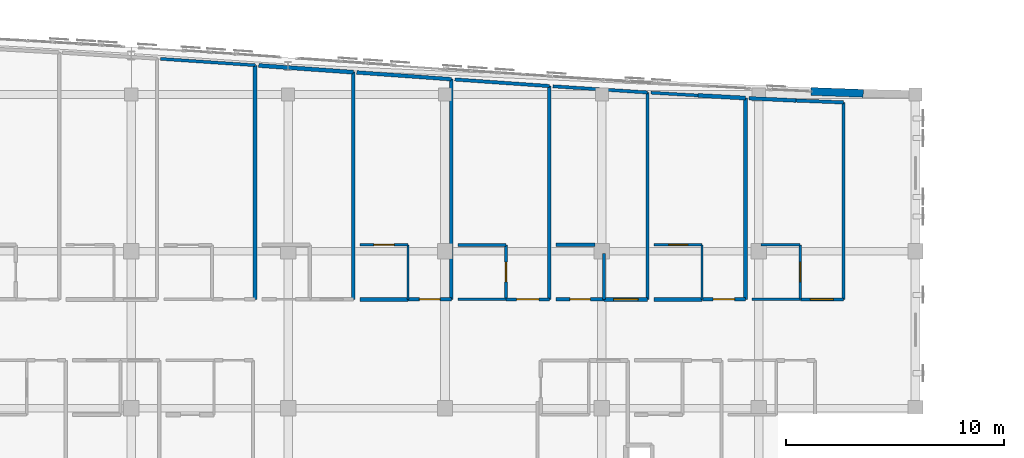
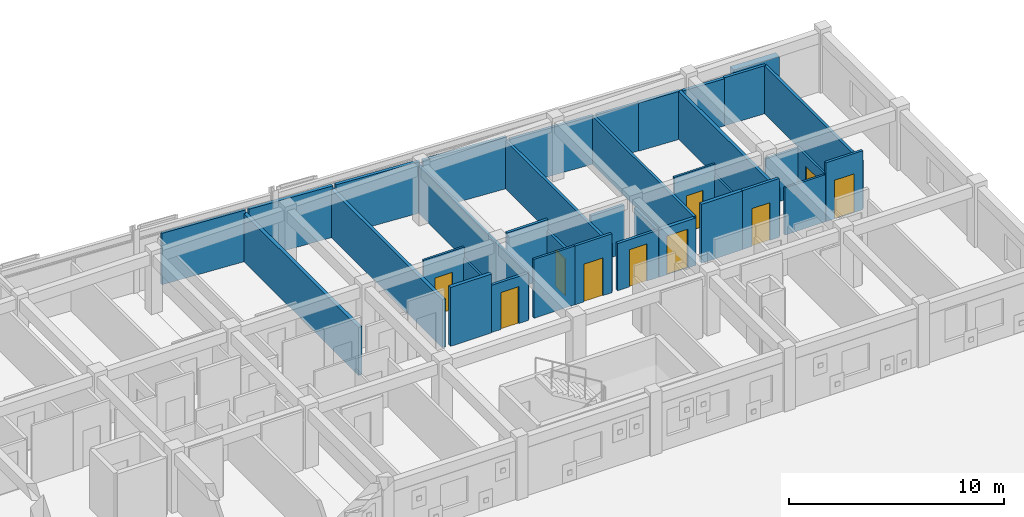
# One storey, part 45 of 50: 37 walls, 10 doors, 10 openings.
"""IFC4 building model written with IfcOpenShell, lengths in metres."""

from ifc_helpers import new_model, si_unit, direction, frame, frame_2d, origin, place, context, subcontext, project, spatial, rectangle, extrude, material, layer, layer_set, type_object, element, fill, save


model = new_model("IFC4")

# Units and contexts
model_context = context("Model", 3, precision=1e-05, world=origin(), true_north=direction((0.0, 1.0)))
body_context = subcontext(model_context, "Body", "Model", "MODEL_VIEW")
ifc_project = project(units=[si_unit("LENGTHUNIT", "METRE"), si_unit("AREAUNIT", "SQUARE_METRE"), si_unit("VOLUMEUNIT", "CUBIC_METRE"), si_unit("PLANEANGLEUNIT", "RADIAN"), si_unit("MASSUNIT", "GRAM", prefix="KILO")], contexts=[model_context])

# Site, building, storey
site_placement = place(None, origin())
site = spatial("IfcSite", under=ifc_project, at=site_placement, CompositionType="ELEMENT")
building_placement = place(site_placement, origin())
building = spatial("IfcBuilding", under=site, at=building_placement, Name="Carrowvane Square Congress Hotel", CompositionType="ELEMENT")
storey_placement = place(building_placement, frame((0.0, 0.0, 22.800048828125)))
storey = spatial("IfcBuildingStorey", under=building, at=storey_placement, Name="L05", CompositionType="ELEMENT", Elevation=22.800048828125)

# Walls
ifc_material_1 = material(Name="Glazed terracotta rainscreen", Category="masonry")
ifc_layer_1 = layer(ifc_material_1, 0.360107421875)
ifc_layer_set_1 = layer_set([ifc_layer_1], Name="Glazed terracotta rainscreen")
wall_type_1 = type_object("IfcWallType", Name="WL-EXT-TC360", PredefinedType="STANDARD", material=ifc_layer_set_1)
wall_1_placement = place(storey_placement, frame((158.0, 113.541015625, 0.0), z_axis=(0.0, 0.0, 1.0), x_axis=(0.99930757318, -0.037207179225, 0.0)))
element("IfcWall", 1, at=wall_1_placement, inside=storey, type_object=wall_type_1, Name="L05 exterior facade wall 453", PredefinedType="STANDARD", context=body_context, shape_type="SweptSolid", body=[
    extrude(rectangle(XDim=2.401611328125, YDim=0.360107421875, at=frame_2d((1.20068359375, 0.0))), origin(), (0.0, 0.0, 1.0), 2.73486328125),
])
ifc_material_2 = material(Name="Acoustic gypsum board", Category="gypsum")
ifc_layer_2 = layer(ifc_material_2, 0.155029296875)
ifc_layer_set_2 = layer_set([ifc_layer_2], Name="Acoustic gypsum board")
wall_type_2 = type_object("IfcWallType", Name="WL-FIR-155", PredefinedType="PARTITIONING", material=ifc_layer_set_2)
wall_2_placement = place(storey_placement, frame((141.489990234375, 114.100830078125, 0.0), z_axis=(0.0, 0.0, 1.0), x_axis=(0.0, -1.0, 0.0)))
element("IfcWall", 2, at=wall_2_placement, inside=storey, type_object=wall_type_2, Name="L05 Parkview Guest Bedroom 0531 partition", PredefinedType="PARTITIONING", context=body_context, shape_type="SweptSolid", body=[
    extrude(rectangle(XDim=10.100830078125, YDim=0.155029296875, at=frame_2d((5.05029296875, 0.0))), origin(), (0.0, 0.0, 1.0), 2.68505859375),
])
wall_3_placement = place(storey_placement, frame((141.64990234375, 114.08935546875, 0.0), z_axis=(0.0, 0.0, 1.0), x_axis=(0.997568300588, -0.069695664585, 0.0)))
element("IfcWall", 3, at=wall_3_placement, inside=storey, type_object=wall_type_2, Name="L05 Parkview Guest Bedroom 0532 partition", PredefinedType="PARTITIONING", context=body_context, shape_type="SweptSolid", body=[
    extrude(rectangle(XDim=4.3505859375, YDim=0.155029296875, at=frame_2d((2.17529296875, 0.0))), origin(), (0.0, 0.0, 1.0), 2.925537109375),
])
wall_4_placement = place(storey_placement, frame((148.5, 106.090087890625, 0.0), z_axis=(0.0, 0.0, 1.0), x_axis=(0.0, -1.0, 0.0)))
element("IfcWall", 4, at=wall_4_placement, inside=storey, type_object=wall_type_2, Name="L05 En-suite Bathroom 0533 partition", PredefinedType="PARTITIONING", context=body_context, shape_type="SweptSolid", body=[
    extrude(rectangle(XDim=2.090087890625, YDim=0.155029296875, at=frame_2d((1.044921875, 0.0))), origin(), (0.0, 0.0, 1.0), 2.68505859375),
])

# Wall, opening, door
wall_5_placement = place(storey_placement, frame((154.989990234375, 104.0, 0.0), z_axis=(0.0, 0.0, 1.0), x_axis=(-1.0, 0.0, 0.0)))
wall_5 = element("IfcWall", 5, at=wall_5_placement, inside=storey, type_object=wall_type_2, Name="L05 Parkview Guest Bedroom 0534 partition", PredefinedType="PARTITIONING", context=body_context, shape_type="SweptSolid", body=[
    extrude(rectangle(XDim=1.97998046875, YDim=0.155029296875, at=frame_2d((0.989990234375, 0.0))), origin(), (0.0, 0.0, 1.0), 3.349853515625),
])
opening_1_placement = place(wall_5_placement, frame((0.5, 0.0, 0.0)))
opening_1 = element("IfcOpeningElement", 6, at=opening_1_placement, cuts=wall_5, Name="Opening FD-07", PredefinedType="OPENING", context=body_context, shape_type="SweptSolid", body=[
    extrude(rectangle(XDim=0.97998046875, YDim=2.14990234375, at=frame_2d((0.489990234375, 1.074951171875))), frame((0.0, 0.08740234375, 0.0), z_axis=(0.0, -1.0, 0.0), x_axis=(1.0, 0.0, 0.0)), (0.0, 0.0, 1.0), 0.175048828125),
])
ifc_material_3 = material(Name="European oak timber", Category="wood")
door_type_1 = type_object("IfcDoorType", Name="DR-FD30-0980x2150", OperationType="NOTDEFINED", PredefinedType="DOOR", material=ifc_material_3)
door_1_placement = place(opening_1_placement, origin())
door_1 = element("IfcDoor", 7, at=door_1_placement, inside=storey, type_object=door_type_1, Name="L05 Parkview Guest Bedroom 0534 entrance door", OperationType="SINGLE_SWING_RIGHT", OverallHeight=2.14990234375, OverallWidth=0.97998046875, PredefinedType="DOOR", context=body_context, shape_type="SweptSolid", body=[
    extrude(rectangle(XDim=0.97998046875, YDim=2.14990234375, at=frame_2d((0.489990234375, 1.074951171875))), frame((0.0, 0.02490234375, 0.0), z_axis=(0.0, -1.0, 0.0), x_axis=(1.0, 0.0, 0.0)), (0.0, 0.0, 1.0), 0.050048828125),
])
fill(opening_1, door_1)

# Walls
wall_6_placement = place(storey_placement, frame((157.320068359375, 113.12255859375, 0.0), z_axis=(0.0, 0.0, 1.0), x_axis=(0.999198802232, -0.040021914221, 0.0)))
element("IfcWall", 8, at=wall_6_placement, inside=storey, type_object=wall_type_2, Name="L05 Parkview Guest Bedroom 0535 partition", PredefinedType="PARTITIONING", context=body_context, shape_type="SweptSolid", body=[
    extrude(rectangle(XDim=2.171630859375, YDim=0.155029296875, at=frame_2d((1.0859375, 0.0))), origin(), (0.0, 0.0, 1.0), 2.73486328125),
])
ifc_material_4 = material(Name="Acoustic gypsum board", Category="gypsum")
ifc_layer_3 = layer(ifc_material_4, 0.169921875)
ifc_layer_set_3 = layer_set([ifc_layer_3], Name="Acoustic gypsum board")
wall_type_3 = type_object("IfcWallType", Name="WL-FIR-170", PredefinedType="PARTITIONING", material=ifc_layer_set_3)
wall_7_placement = place(storey_placement, frame((136.989990234375, 114.4228515625, 0.0), z_axis=(0.0, 0.0, 1.0), x_axis=(0.0, -1.0, 0.0)))
element("IfcWall", 9, at=wall_7_placement, inside=storey, type_object=wall_type_3, Name="L05 Parkview Guest Bedroom 0530 partition", PredefinedType="PARTITIONING", context=body_context, shape_type="SweptSolid", body=[
    extrude(rectangle(XDim=10.4228515625, YDim=0.169921875, at=frame_2d((5.21142578125, 0.0))), origin(), (0.0, 0.0, 1.0), 2.73486328125),
])
wall_8_placement = place(storey_placement, frame((137.14990234375, 114.411376953125, 0.0), z_axis=(0.0, 0.0, 1.0), x_axis=(0.997449862835, -0.071370660152, 0.0)))
element("IfcWall", 10, at=wall_8_placement, inside=storey, type_object=wall_type_3, Name="L05 Parkview Guest Bedroom 0531 partition", PredefinedType="PARTITIONING", context=body_context, shape_type="SweptSolid", body=[
    extrude(rectangle(XDim=4.35107421875, YDim=0.169921875, at=frame_2d((2.175537109375, 0.0))), origin(), (0.0, 0.0, 1.0), 2.925537109375),
])
wall_9_placement = place(storey_placement, frame((146.300048828125, 106.5, 0.0), z_axis=(0.0, 0.0, 1.0), x_axis=(1.0, 0.0, 0.0)))
element("IfcWall", 11, at=wall_9_placement, inside=storey, type_object=wall_type_3, Name="L05 En-suite Bathroom 0533 partition", PredefinedType="PARTITIONING", context=body_context, shape_type="SweptSolid", body=[
    extrude(rectangle(XDim=1.7900390625, YDim=0.169921875, at=frame_2d((0.89501953125, 0.0))), origin(), (0.0, 0.0, 1.0), 2.73486328125),
])
wall_10_placement = place(storey_placement, frame((154.989990234375, 113.2353515625, 0.0), z_axis=(0.0, 0.0, 1.0), x_axis=(0.0, -1.0, 0.0)))
element("IfcWall", 12, at=wall_10_placement, inside=storey, type_object=wall_type_3, Name="L05 Parkview Guest Bedroom 0534 partition", PredefinedType="PARTITIONING", context=body_context, shape_type="SweptSolid", body=[
    extrude(rectangle(XDim=9.2353515625, YDim=0.169921875, at=frame_2d((4.61767578125, 0.0))), origin(), (0.0, 0.0, 1.0), 2.73486328125),
])
wall_11_placement = place(storey_placement, frame((155.14990234375, 113.226806640625, 0.0), z_axis=(0.0, 0.0, 1.0), x_axis=(0.998848221094, -0.047981571651, 0.0)))
element("IfcWall", 13, at=wall_11_placement, inside=storey, type_object=wall_type_3, Name="L05 Parkview Guest Bedroom 0535 partition", PredefinedType="PARTITIONING", context=body_context, shape_type="SweptSolid", body=[
    extrude(rectangle(XDim=2.172607421875, YDim=0.169921875, at=frame_2d((1.08642578125, 0.0))), origin(), (0.0, 0.0, 1.0), 2.68505859375),
])
ifc_material_5 = material(Name="Acoustic gypsum board", Category="gypsum")
ifc_layer_4 = layer(ifc_material_5, 0.18505859375)
ifc_layer_set_4 = layer_set([ifc_layer_4], Name="Acoustic gypsum board")
wall_type_4 = type_object("IfcWallType", Name="WL-FIR-185", PredefinedType="PARTITIONING", material=ifc_layer_set_4)
wall_12_placement = place(storey_placement, frame((132.489990234375, 114.741455078125, 0.0), z_axis=(0.0, 0.0, 1.0), x_axis=(0.0, -1.0, 0.0)))
element("IfcWall", 14, at=wall_12_placement, inside=storey, type_object=wall_type_4, Name="L05 Parkview Guest Bedroom 0529 partition", PredefinedType="PARTITIONING", context=body_context, shape_type="SweptSolid", body=[
    extrude(rectangle(XDim=10.741455078125, YDim=0.18505859375, at=frame_2d((5.37060546875, 0.0))), origin(), (0.0, 0.0, 1.0), 2.73486328125),
])
wall_13_placement = place(storey_placement, frame((132.64990234375, 114.730224609375, 0.0), z_axis=(0.0, 0.0, 1.0), x_axis=(0.997501527727, -0.070644902031, 0.0)))
element("IfcWall", 15, at=wall_13_placement, inside=storey, type_object=wall_type_4, Name="L05 Parkview Guest Bedroom 0530 partition", PredefinedType="PARTITIONING", context=body_context, shape_type="SweptSolid", body=[
    extrude(rectangle(XDim=4.35107421875, YDim=0.18505859375, at=frame_2d((2.175537109375, 0.0))), origin(), (0.0, 0.0, 1.0), 2.925537109375),
])
wall_14_placement = place(storey_placement, frame((139.5, 104.0, 0.0), z_axis=(0.0, 0.0, 1.0), x_axis=(-1.0, 0.0, 0.0)))
element("IfcWall", 16, at=wall_14_placement, inside=storey, type_object=wall_type_4, Name="L05 En-suite Bathroom 0531 partition", PredefinedType="PARTITIONING", context=body_context, shape_type="SweptSolid", body=[
    extrude(rectangle(XDim=2.199951171875, YDim=0.18505859375, at=frame_2d((1.10009765625, 0.0))), origin(), (0.0, 0.0, 1.0), 3.349853515625),
])

# Wall, opening, door
wall_15_placement = place(storey_placement, frame((150.489990234375, 104.0, 0.0), z_axis=(0.0, 0.0, 1.0), x_axis=(-1.0, 0.0, 0.0)))
wall_15 = element("IfcWall", 17, at=wall_15_placement, inside=storey, type_object=wall_type_4, Name="L05 Parkview Guest Bedroom 0533 partition", PredefinedType="PARTITIONING", context=body_context, shape_type="SweptSolid", body=[
    extrude(rectangle(XDim=1.97998046875, YDim=0.18505859375, at=frame_2d((0.989990234375, 0.0))), origin(), (0.0, 0.0, 1.0), 2.68505859375),
])
opening_2_placement = place(wall_15_placement, frame((0.429931640625, 0.0, 0.0)))
opening_2 = element("IfcOpeningElement", 18, at=opening_2_placement, cuts=wall_15, Name="Opening FD-10", PredefinedType="OPENING", context=body_context, shape_type="SweptSolid", body=[
    extrude(rectangle(XDim=1.1201171875, YDim=2.199951171875, at=frame_2d((0.56005859375, 1.10009765625))), frame((0.0, 0.1025390625, 0.0), z_axis=(0.0, -1.0, 0.0), x_axis=(1.0, 0.0, 0.0)), (0.0, 0.0, 1.0), 0.205078125),
])
ifc_material_6 = material(Name="European oak timber", Category="wood")
door_type_2 = type_object("IfcDoorType", Name="DR-FD30-1120x2200", OperationType="NOTDEFINED", PredefinedType="DOOR", material=ifc_material_6)
door_2_placement = place(opening_2_placement, origin())
door_2 = element("IfcDoor", 19, at=door_2_placement, inside=storey, type_object=door_type_2, Name="L05 Parkview Guest Bedroom 0533 entrance door", OperationType="SINGLE_SWING_RIGHT", OverallHeight=2.199951171875, OverallWidth=1.1201171875, PredefinedType="DOOR", context=body_context, shape_type="SweptSolid", body=[
    extrude(rectangle(XDim=1.1201171875, YDim=2.199951171875, at=frame_2d((0.56005859375, 1.10009765625))), frame((0.0, 0.02490234375, 0.0), z_axis=(0.0, -1.0, 0.0), x_axis=(1.0, 0.0, 0.0)), (0.0, 0.0, 1.0), 0.050048828125),
])
fill(opening_2, door_2)

# Walls
wall_16_placement = place(storey_placement, frame((153.0, 104.0, 0.0), z_axis=(0.0, 0.0, 1.0), x_axis=(-1.0, 0.0, 0.0)))
element("IfcWall", 20, at=wall_16_placement, inside=storey, type_object=wall_type_4, Name="L05 En-suite Bathroom 0534 partition", PredefinedType="PARTITIONING", context=body_context, shape_type="SweptSolid", body=[
    extrude(rectangle(XDim=2.199951171875, YDim=0.18505859375, at=frame_2d((1.10009765625, 0.0))), origin(), (0.0, 0.0, 1.0), 3.349853515625),
])
wall_17_placement = place(storey_placement, frame((152.820068359375, 113.353759765625, 0.0), z_axis=(0.0, 0.0, 1.0), x_axis=(0.998514485743, -0.054486895318, 0.0)))
element("IfcWall", 21, at=wall_17_placement, inside=storey, type_object=wall_type_4, Name="L05 Parkview Guest Bedroom 0534 partition", PredefinedType="PARTITIONING", context=body_context, shape_type="SweptSolid", body=[
    extrude(rectangle(XDim=2.173095703125, YDim=0.18505859375, at=frame_2d((1.08642578125, 0.0))), origin(), (0.0, 0.0, 1.0), 2.73486328125),
])
ifc_material_7 = material(Name="Acoustic gypsum board", Category="gypsum")
ifc_layer_5 = layer(ifc_material_7, 0.097900390625)
ifc_layer_set_5 = layer_set([ifc_layer_5], Name="Acoustic gypsum board")
wall_type_5 = type_object("IfcWallType", Name="WL-PRT-098", PredefinedType="PARTITIONING", material=ifc_layer_set_5)
for number, where, z_axis, x_axis, name in (
    (22, (139.5, 106.5, 0.0), (0.0, 0.0, 1.0), (0.0, -1.0, 0.0), "L05 En-suite Bathroom 0531 partition"),
    (23, (153.0, 106.5, 0.0), (0.0, 0.0, 1.0), (0.0, -1.0, 0.0), "L05 En-suite Bathroom 0534 partition"),
):
    element("IfcWall", number, at=place(storey_placement, frame(where, z_axis=z_axis, x_axis=x_axis)), inside=storey, type_object=wall_type_5, Name=name, PredefinedType="PARTITIONING", context=body_context, shape_type="SweptSolid", body=[
        extrude(rectangle(XDim=2.5, YDim=0.097900390625, at=frame_2d((1.25, 0.0))), origin(), (0.0, 0.0, 1.0), 2.73486328125),
    ])

# Wall, opening, door
ifc_material_8 = material(Name="Acoustic gypsum board", Category="gypsum")
ifc_layer_6 = layer(ifc_material_8, 0.10791015625)
ifc_layer_set_6 = layer_set([ifc_layer_6], Name="Acoustic gypsum board")
wall_type_6 = type_object("IfcWallType", Name="WL-PRT-108", PredefinedType="PARTITIONING", material=ifc_layer_set_6)
wall_18_placement = place(storey_placement, frame((137.300048828125, 106.5, 0.0), z_axis=(0.0, 0.0, 1.0), x_axis=(1.0, 0.0, 0.0)))
wall_18 = element("IfcWall", 24, at=wall_18_placement, inside=storey, type_object=wall_type_6, Name="L05 En-suite Bathroom 0531 partition", PredefinedType="PARTITIONING", context=body_context, shape_type="SweptSolid", body=[
    extrude(rectangle(XDim=2.199951171875, YDim=0.10791015625, at=frame_2d((1.10009765625, 0.0))), origin(), (0.0, 0.0, 1.0), 3.349853515625),
])
opening_3_placement = place(wall_18_placement, frame((0.635009765625, 0.0, 0.0)))
opening_3 = element("IfcOpeningElement", 25, at=opening_3_placement, cuts=wall_18, Name="Opening ID-18", PredefinedType="OPENING", context=body_context, shape_type="SweptSolid", body=[
    extrude(rectangle(XDim=0.929931640625, YDim=2.1298828125, at=frame_2d((0.46484375, 1.06494140625))), frame((0.0, 0.06396484375, 0.0), z_axis=(0.0, -1.0, 0.0), x_axis=(1.0, 0.0, 0.0)), (0.0, 0.0, 1.0), 0.1279296875),
])
ifc_material_9 = material(Name="European oak timber", Category="wood")
door_type_3 = type_object("IfcDoorType", Name="DR-INT-0930x2130", OperationType="NOTDEFINED", PredefinedType="DOOR", material=ifc_material_9)
door_3_placement = place(opening_3_placement, origin())
door_3 = element("IfcDoor", 26, at=door_3_placement, inside=storey, type_object=door_type_3, Name="L05 En-suite Bathroom 0531 door", OperationType="SINGLE_SWING_LEFT", OverallHeight=2.1298828125, OverallWidth=0.929931640625, PredefinedType="DOOR", context=body_context, shape_type="SweptSolid", body=[
    extrude(rectangle(XDim=0.929931640625, YDim=2.1298828125, at=frame_2d((0.46484375, 1.06494140625))), frame((0.0, 0.02490234375, 0.0), z_axis=(0.0, -1.0, 0.0), x_axis=(1.0, 0.0, 0.0)), (0.0, 0.0, 1.0), 0.050048828125),
])
fill(opening_3, door_3)

wall_19_placement = place(storey_placement, frame((150.800048828125, 106.5, 0.0), z_axis=(0.0, 0.0, 1.0), x_axis=(1.0, 0.0, 0.0)))
wall_19 = element("IfcWall", 27, at=wall_19_placement, inside=storey, type_object=wall_type_6, Name="L05 En-suite Bathroom 0534 partition", PredefinedType="PARTITIONING", context=body_context, shape_type="SweptSolid", body=[
    extrude(rectangle(XDim=2.199951171875, YDim=0.10791015625, at=frame_2d((1.10009765625, 0.0))), origin(), (0.0, 0.0, 1.0), 3.349853515625),
])
opening_4_placement = place(wall_19_placement, frame((0.6650390625, 0.0, 0.0)))
opening_4 = element("IfcOpeningElement", 28, at=opening_4_placement, cuts=wall_19, Name="Opening ID-15", PredefinedType="OPENING", context=body_context, shape_type="SweptSolid", body=[
    extrude(rectangle(XDim=0.8701171875, YDim=2.070068359375, at=frame_2d((0.43505859375, 1.03515625))), frame((0.0, 0.06396484375, 0.0), z_axis=(0.0, -1.0, 0.0), x_axis=(1.0, 0.0, 0.0)), (0.0, 0.0, 1.0), 0.1279296875),
])
ifc_material_10 = material(Name="European oak timber", Category="wood")
door_type_4 = type_object("IfcDoorType", Name="DR-INT-0870x2070", OperationType="NOTDEFINED", PredefinedType="DOOR", material=ifc_material_10)
door_4_placement = place(opening_4_placement, origin())
door_4 = element("IfcDoor", 29, at=door_4_placement, inside=storey, type_object=door_type_4, Name="L05 En-suite Bathroom 0534 door", OperationType="SINGLE_SWING_LEFT", OverallHeight=2.070068359375, OverallWidth=0.8701171875, PredefinedType="DOOR", context=body_context, shape_type="SweptSolid", body=[
    extrude(rectangle(XDim=0.8701171875, YDim=2.070068359375, at=frame_2d((0.43505859375, 1.03515625))), frame((0.0, 0.02490234375, 0.0), z_axis=(0.0, -1.0, 0.0), x_axis=(1.0, 0.0, 0.0)), (0.0, 0.0, 1.0), 0.050048828125),
])
fill(opening_4, door_4)

# Walls
wall_20_placement = place(storey_placement, frame((157.5, 104.0, 0.0), z_axis=(0.0, 0.0, 1.0), x_axis=(-1.0, 0.0, 0.0)))
element("IfcWall", 30, at=wall_20_placement, inside=storey, type_object=wall_type_6, Name="L05 En-suite Bathroom 0535 partition", PredefinedType="PARTITIONING", context=body_context, shape_type="SweptSolid", body=[
    extrude(rectangle(XDim=2.199951171875, YDim=0.10791015625, at=frame_2d((1.10009765625, 0.0))), origin(), (0.0, 0.0, 1.0), 2.68505859375),
])
ifc_material_11 = material(Name="Acoustic gypsum board", Category="gypsum")
ifc_layer_7 = layer(ifc_material_11, 0.117919921875)
ifc_layer_set_7 = layer_set([ifc_layer_7], Name="Acoustic gypsum board")
wall_type_7 = type_object("IfcWallType", Name="WL-PRT-118", PredefinedType="PARTITIONING", material=ifc_layer_set_7)
wall_21_placement = place(storey_placement, frame((144.0, 104.0, 0.0), z_axis=(0.0, 0.0, 1.0), x_axis=(-1.0, 0.0, 0.0)))
element("IfcWall", 31, at=wall_21_placement, inside=storey, type_object=wall_type_7, Name="L05 En-suite Bathroom 0532 partition", PredefinedType="PARTITIONING", context=body_context, shape_type="SweptSolid", body=[
    extrude(rectangle(XDim=2.199951171875, YDim=0.117919921875, at=frame_2d((1.10009765625, 0.0))), origin(), (0.0, 0.0, 1.0), 3.349853515625),
])

# Wall, opening, door
wall_22_placement = place(storey_placement, frame((157.5, 106.5, 0.0), z_axis=(0.0, 0.0, 1.0), x_axis=(0.0, -1.0, 0.0)))
wall_22 = element("IfcWall", 32, at=wall_22_placement, inside=storey, type_object=wall_type_7, Name="L05 En-suite Bathroom 0535 partition", PredefinedType="PARTITIONING", context=body_context, shape_type="SweptSolid", body=[
    extrude(rectangle(XDim=2.5, YDim=0.117919921875, at=frame_2d((1.25, 0.0))), origin(), (0.0, 0.0, 1.0), 2.73486328125),
])
opening_5_placement = place(wall_22_placement, frame((0.794921875, 0.0, 0.0)))
opening_5 = element("IfcOpeningElement", 33, at=opening_5_placement, cuts=wall_22, Name="Opening ID-17", PredefinedType="OPENING", context=body_context, shape_type="SweptSolid", body=[
    extrude(rectangle(XDim=0.909912109375, YDim=2.110107421875, at=frame_2d((0.455078125, 1.05517578125))), frame((0.0, 0.06884765625, 0.0), z_axis=(0.0, -1.0, 0.0), x_axis=(1.0, 0.0, 0.0)), (0.0, 0.0, 1.0), 0.137939453125),
])
ifc_material_12 = material(Name="European oak timber", Category="wood")
door_type_5 = type_object("IfcDoorType", Name="DR-INT-0910x2110", OperationType="NOTDEFINED", PredefinedType="DOOR", material=ifc_material_12)
door_5_placement = place(opening_5_placement, origin())
door_5 = element("IfcDoor", 34, at=door_5_placement, inside=storey, type_object=door_type_5, Name="L05 En-suite Bathroom 0535 door", OperationType="SINGLE_SWING_LEFT", OverallHeight=2.110107421875, OverallWidth=0.909912109375, PredefinedType="DOOR", context=body_context, shape_type="SweptSolid", body=[
    extrude(rectangle(XDim=0.909912109375, YDim=2.110107421875, at=frame_2d((0.455078125, 1.05517578125))), frame((0.0, 0.02490234375, 0.0), z_axis=(0.0, -1.0, 0.0), x_axis=(1.0, 0.0, 0.0)), (0.0, 0.0, 1.0), 0.050048828125),
])
fill(opening_5, door_5)

ifc_material_13 = material(Name="Acoustic gypsum board", Category="gypsum")
ifc_layer_8 = layer(ifc_material_13, 0.1279296875)
ifc_layer_set_8 = layer_set([ifc_layer_8], Name="Acoustic gypsum board")
wall_type_8 = type_object("IfcWallType", Name="WL-PRT-128", PredefinedType="PARTITIONING", material=ifc_layer_set_8)
wall_23_placement = place(storey_placement, frame((144.0, 106.5, 0.0), z_axis=(0.0, 0.0, 1.0), x_axis=(0.0, -1.0, 0.0)))
wall_23 = element("IfcWall", 35, at=wall_23_placement, inside=storey, type_object=wall_type_8, Name="L05 En-suite Bathroom 0532 partition", PredefinedType="PARTITIONING", context=body_context, shape_type="SweptSolid", body=[
    extrude(rectangle(XDim=2.5, YDim=0.1279296875, at=frame_2d((1.25, 0.0))), origin(), (0.0, 0.0, 1.0), 2.73486328125),
])
opening_6_placement = place(wall_23_placement, frame((0.800048828125, 0.0, 0.0)))
opening_6 = element("IfcOpeningElement", 36, at=opening_6_placement, cuts=wall_23, Name="Opening ID-02", PredefinedType="OPENING", context=body_context, shape_type="SweptSolid", body=[
    extrude(rectangle(XDim=0.89990234375, YDim=2.080078125, at=frame_2d((0.449951171875, 1.0400390625))), frame((0.0, 0.073974609375, 0.0), z_axis=(0.0, -1.0, 0.0), x_axis=(1.0, 0.0, 0.0)), (0.0, 0.0, 1.0), 0.14794921875),
])
ifc_material_14 = material(Name="European oak timber", Category="wood")
door_type_6 = type_object("IfcDoorType", Name="DR-INT-0900x2080", OperationType="NOTDEFINED", PredefinedType="DOOR", material=ifc_material_14)
door_6_placement = place(opening_6_placement, origin())
door_6 = element("IfcDoor", 37, at=door_6_placement, inside=storey, type_object=door_type_6, Name="L05 En-suite Bathroom 0532 door", OperationType="SINGLE_SWING_LEFT", OverallHeight=2.080078125, OverallWidth=0.89990234375, PredefinedType="DOOR", context=body_context, shape_type="SweptSolid", body=[
    extrude(rectangle(XDim=0.89990234375, YDim=2.080078125, at=frame_2d((0.449951171875, 1.0400390625))), frame((0.0, 0.02490234375, 0.0), z_axis=(0.0, -1.0, 0.0), x_axis=(1.0, 0.0, 0.0)), (0.0, 0.0, 1.0), 0.050048828125),
])
fill(opening_6, door_6)

# Walls
wall_24_placement = place(storey_placement, frame((155.7099609375, 106.5, 0.0), z_axis=(0.0, 0.0, 1.0), x_axis=(1.0, 0.0, 0.0)))
element("IfcWall", 38, at=wall_24_placement, inside=storey, type_object=wall_type_8, Name="L05 En-suite Bathroom 0535 partition", PredefinedType="PARTITIONING", context=body_context, shape_type="SweptSolid", body=[
    extrude(rectangle(XDim=1.7900390625, YDim=0.1279296875, at=frame_2d((0.89501953125, 0.0))), origin(), (0.0, 0.0, 1.0), 2.68505859375),
])
ifc_material_15 = material(Name="Acoustic gypsum board", Category="gypsum")
ifc_layer_9 = layer(ifc_material_15, 0.137939453125)
ifc_layer_set_9 = layer_set([ifc_layer_9], Name="Acoustic gypsum board")
wall_type_9 = type_object("IfcWallType", Name="WL-PRT-138", PredefinedType="PARTITIONING", material=ifc_layer_set_9)
wall_25_placement = place(storey_placement, frame((128.14990234375, 115.035888671875, 0.0), z_axis=(0.0, 0.0, 1.0), x_axis=(0.997706748145, -0.067684892741, 0.0)))
element("IfcWall", 39, at=wall_25_placement, inside=storey, type_object=wall_type_9, Name="L05 Parkview Guest Bedroom 0529 partition", PredefinedType="PARTITIONING", context=body_context, shape_type="SweptSolid", body=[
    extrude(rectangle(XDim=4.35009765625, YDim=0.137939453125, at=frame_2d((2.175048828125, 0.0))), origin(), (0.0, 0.0, 1.0), 2.925537109375),
])
wall_26_placement = place(storey_placement, frame((141.800048828125, 106.5, 0.0), z_axis=(0.0, 0.0, 1.0), x_axis=(1.0, 0.0, 0.0)))
element("IfcWall", 40, at=wall_26_placement, inside=storey, type_object=wall_type_9, Name="L05 En-suite Bathroom 0532 partition", PredefinedType="PARTITIONING", context=body_context, shape_type="SweptSolid", body=[
    extrude(rectangle(XDim=2.199951171875, YDim=0.137939453125, at=frame_2d((1.10009765625, 0.0))), origin(), (0.0, 0.0, 1.0), 3.349853515625),
])

# Wall, opening, door
wall_27_placement = place(storey_placement, frame((145.989990234375, 104.0, 0.0), z_axis=(0.0, 0.0, 1.0), x_axis=(-1.0, 0.0, 0.0)))
wall_27 = element("IfcWall", 41, at=wall_27_placement, inside=storey, type_object=wall_type_9, Name="L05 Parkview Guest Bedroom 0532 partition", PredefinedType="PARTITIONING", context=body_context, shape_type="SweptSolid", body=[
    extrude(rectangle(XDim=1.97998046875, YDim=0.137939453125, at=frame_2d((0.989990234375, 0.0))), origin(), (0.0, 0.0, 1.0), 3.349853515625),
])
opening_7_placement = place(wall_27_placement, frame((0.47998046875, 0.0, 0.0)))
opening_7 = element("IfcOpeningElement", 42, at=opening_7_placement, cuts=wall_27, Name="Opening FD-08", PredefinedType="OPENING", context=body_context, shape_type="SweptSolid", body=[
    extrude(rectangle(XDim=1.02001953125, YDim=2.14990234375, at=frame_2d((0.510009765625, 1.074951171875))), frame((0.0, 0.078857421875, 0.0), z_axis=(0.0, -1.0, 0.0), x_axis=(1.0, 0.0, 0.0)), (0.0, 0.0, 1.0), 0.157958984375),
])
ifc_material_16 = material(Name="European oak timber", Category="wood")
door_type_7 = type_object("IfcDoorType", Name="DR-FD30-1020x2150", OperationType="NOTDEFINED", PredefinedType="DOOR", material=ifc_material_16)
door_7_placement = place(opening_7_placement, origin())
door_7 = element("IfcDoor", 43, at=door_7_placement, inside=storey, type_object=door_type_7, Name="L05 Parkview Guest Bedroom 0532 entrance door", OperationType="SINGLE_SWING_RIGHT", OverallHeight=2.14990234375, OverallWidth=1.02001953125, PredefinedType="DOOR", context=body_context, shape_type="SweptSolid", body=[
    extrude(rectangle(XDim=1.02001953125, YDim=2.14990234375, at=frame_2d((0.510009765625, 1.074951171875))), frame((0.0, 0.02490234375, 0.0), z_axis=(0.0, -1.0, 0.0), x_axis=(1.0, 0.0, 0.0)), (0.0, 0.0, 1.0), 0.050048828125),
])
fill(opening_7, door_7)

# Walls
wall_28_placement = place(storey_placement, frame((150.489990234375, 113.492919921875, 0.0), z_axis=(0.0, 0.0, 1.0), x_axis=(0.0, -1.0, 0.0)))
element("IfcWall", 44, at=wall_28_placement, inside=storey, type_object=wall_type_9, Name="L05 Parkview Guest Bedroom 0533 partition", PredefinedType="PARTITIONING", context=body_context, shape_type="SweptSolid", body=[
    extrude(rectangle(XDim=9.492919921875, YDim=0.137939453125, at=frame_2d((4.74658203125, 0.0))), origin(), (0.0, 0.0, 1.0), 2.73486328125),
])
wall_29_placement = place(storey_placement, frame((150.64990234375, 113.482666015625, 0.0), z_axis=(0.0, 0.0, 1.0), x_axis=(0.998240518683, -0.059294745625, 0.0)))
element("IfcWall", 45, at=wall_29_placement, inside=storey, type_object=wall_type_9, Name="L05 Parkview Guest Bedroom 0534 partition", PredefinedType="PARTITIONING", context=body_context, shape_type="SweptSolid", body=[
    extrude(rectangle(XDim=2.174072265625, YDim=0.137939453125, at=frame_2d((1.0869140625, 0.0))), origin(), (0.0, 0.0, 1.0), 2.73486328125),
])

# Wall, opening, door
wall_30_placement = place(storey_placement, frame((159.489990234375, 104.0, 0.0), z_axis=(0.0, 0.0, 1.0), x_axis=(-1.0, 0.0, 0.0)))
wall_30 = element("IfcWall", 46, at=wall_30_placement, inside=storey, type_object=wall_type_9, Name="L05 Parkview Guest Bedroom 0535 partition", PredefinedType="PARTITIONING", context=body_context, shape_type="SweptSolid", body=[
    extrude(rectangle(XDim=1.97998046875, YDim=0.137939453125, at=frame_2d((0.989990234375, 0.0))), origin(), (0.0, 0.0, 1.0), 3.349853515625),
])
opening_8_placement = place(wall_30_placement, frame((0.4599609375, 0.0, 0.0)))
opening_8 = element("IfcOpeningElement", 47, at=opening_8_placement, cuts=wall_30, Name="Opening FD-09", PredefinedType="OPENING", context=body_context, shape_type="SweptSolid", body=[
    extrude(rectangle(XDim=1.06005859375, YDim=2.199951171875, at=frame_2d((0.530029296875, 1.10009765625))), frame((0.0, 0.078857421875, 0.0), z_axis=(0.0, -1.0, 0.0), x_axis=(1.0, 0.0, 0.0)), (0.0, 0.0, 1.0), 0.157958984375),
])
ifc_material_17 = material(Name="European oak timber", Category="wood")
door_type_8 = type_object("IfcDoorType", Name="DR-FD30-1060x2200", OperationType="NOTDEFINED", PredefinedType="DOOR", material=ifc_material_17)
door_8_placement = place(opening_8_placement, origin())
door_8 = element("IfcDoor", 48, at=door_8_placement, inside=storey, type_object=door_type_8, Name="L05 Parkview Guest Bedroom 0535 entrance door", OperationType="SINGLE_SWING_RIGHT", OverallHeight=2.199951171875, OverallWidth=1.06005859375, PredefinedType="DOOR", context=body_context, shape_type="SweptSolid", body=[
    extrude(rectangle(XDim=1.06005859375, YDim=2.199951171875, at=frame_2d((0.530029296875, 1.10009765625))), frame((0.0, 0.02490234375, 0.0), z_axis=(0.0, -1.0, 0.0), x_axis=(1.0, 0.0, 0.0)), (0.0, 0.0, 1.0), 0.050048828125),
])
fill(opening_8, door_8)

ifc_material_18 = material(Name="Acoustic gypsum board", Category="gypsum")
ifc_layer_10 = layer(ifc_material_18, 0.14794921875)
ifc_layer_set_10 = layer_set([ifc_layer_10], Name="Acoustic gypsum board")
wall_type_10 = type_object("IfcWallType", Name="WL-PRT-148", PredefinedType="PARTITIONING", material=ifc_layer_set_10)
wall_31_placement = place(storey_placement, frame((141.489990234375, 104.0, 0.0), z_axis=(0.0, 0.0, 1.0), x_axis=(-1.0, 0.0, 0.0)))
wall_31 = element("IfcWall", 49, at=wall_31_placement, inside=storey, type_object=wall_type_10, Name="L05 Parkview Guest Bedroom 0531 partition", PredefinedType="PARTITIONING", context=body_context, shape_type="SweptSolid", body=[
    extrude(rectangle(XDim=1.97998046875, YDim=0.14794921875, at=frame_2d((0.989990234375, 0.0))), origin(), (0.0, 0.0, 1.0), 2.68505859375),
])
opening_9_placement = place(wall_31_placement, frame((0.514892578125, 0.0, 0.0)))
opening_9 = element("IfcOpeningElement", 50, at=opening_9_placement, cuts=wall_31, Name="Opening FD-06", PredefinedType="OPENING", context=body_context, shape_type="SweptSolid", body=[
    extrude(rectangle(XDim=0.949951171875, YDim=2.10009765625, at=frame_2d((0.47509765625, 1.050048828125))), frame((0.0, 0.083984375, 0.0), z_axis=(0.0, -1.0, 0.0), x_axis=(1.0, 0.0, 0.0)), (0.0, 0.0, 1.0), 0.16796875),
])
ifc_material_19 = material(Name="European oak timber", Category="wood")
door_type_9 = type_object("IfcDoorType", Name="DR-FD30-0950x2100", OperationType="NOTDEFINED", PredefinedType="DOOR", material=ifc_material_19)
door_9_placement = place(opening_9_placement, origin())
door_9 = element("IfcDoor", 51, at=door_9_placement, inside=storey, type_object=door_type_9, Name="L05 Parkview Guest Bedroom 0531 entrance door", OperationType="SINGLE_SWING_RIGHT", OverallHeight=2.10009765625, OverallWidth=0.949951171875, PredefinedType="DOOR", context=body_context, shape_type="SweptSolid", body=[
    extrude(rectangle(XDim=0.949951171875, YDim=2.10009765625, at=frame_2d((0.47509765625, 1.050048828125))), frame((0.0, 0.02490234375, 0.0), z_axis=(0.0, -1.0, 0.0), x_axis=(1.0, 0.0, 0.0)), (0.0, 0.0, 1.0), 0.050048828125),
])
fill(opening_9, door_9)

# Wall
wall_32_placement = place(storey_placement, frame((145.989990234375, 113.7861328125, 0.0), z_axis=(0.0, 0.0, 1.0), x_axis=(0.0, -1.0, 0.0)))
element("IfcWall", 52, at=wall_32_placement, inside=storey, type_object=wall_type_10, Name="L05 Parkview Guest Bedroom 0532 partition", PredefinedType="PARTITIONING", context=body_context, shape_type="SweptSolid", body=[
    extrude(rectangle(XDim=9.7861328125, YDim=0.14794921875, at=frame_2d((4.89306640625, 0.0))), origin(), (0.0, 0.0, 1.0), 2.73486328125),
])

# Wall, opening, door
wall_33_placement = place(storey_placement, frame((148.5, 104.0, 0.0), z_axis=(0.0, 0.0, 1.0), x_axis=(-1.0, 0.0, 0.0)))
wall_33 = element("IfcWall", 53, at=wall_33_placement, inside=storey, type_object=wall_type_10, Name="L05 En-suite Bathroom 0533 partition", PredefinedType="PARTITIONING", context=body_context, shape_type="SweptSolid", body=[
    extrude(rectangle(XDim=2.199951171875, YDim=0.14794921875, at=frame_2d((1.10009765625, 0.0))), origin(), (0.0, 0.0, 1.0), 2.68505859375),
])
opening_10_placement = place(wall_33_placement, frame((0.6298828125, 0.0, 0.0)))
opening_10 = element("IfcOpeningElement", 54, at=opening_10_placement, cuts=wall_33, Name="Opening ID-04", PredefinedType="OPENING", context=body_context, shape_type="SweptSolid", body=[
    extrude(rectangle(XDim=0.93994140625, YDim=2.1201171875, at=frame_2d((0.469970703125, 1.06005859375))), frame((0.0, 0.083984375, 0.0), z_axis=(0.0, -1.0, 0.0), x_axis=(1.0, 0.0, 0.0)), (0.0, 0.0, 1.0), 0.16796875),
])
ifc_material_20 = material(Name="European oak timber", Category="wood")
door_type_10 = type_object("IfcDoorType", Name="DR-INT-0940x2120", OperationType="NOTDEFINED", PredefinedType="DOOR", material=ifc_material_20)
door_10_placement = place(opening_10_placement, origin())
door_10 = element("IfcDoor", 55, at=door_10_placement, inside=storey, type_object=door_type_10, Name="L05 En-suite Bathroom 0533 door", OperationType="SINGLE_SWING_LEFT", OverallHeight=2.1201171875, OverallWidth=0.93994140625, PredefinedType="DOOR", context=body_context, shape_type="SweptSolid", body=[
    extrude(rectangle(XDim=0.93994140625, YDim=2.1201171875, at=frame_2d((0.469970703125, 1.06005859375))), frame((0.0, 0.02490234375, 0.0), z_axis=(0.0, -1.0, 0.0), x_axis=(1.0, 0.0, 0.0)), (0.0, 0.0, 1.0), 0.050048828125),
])
fill(opening_10, door_10)

# Walls
wall_34_placement = place(storey_placement, frame((146.14990234375, 113.775390625, 0.0), z_axis=(0.0, 0.0, 1.0), x_axis=(0.997888735161, -0.064946687663, 0.0)))
element("IfcWall", 56, at=wall_34_placement, inside=storey, type_object=wall_type_10, Name="L05 Parkview Guest Bedroom 0533 partition", PredefinedType="PARTITIONING", context=body_context, shape_type="SweptSolid", body=[
    extrude(rectangle(XDim=4.349365234375, YDim=0.14794921875, at=frame_2d((2.1748046875, 0.0))), origin(), (0.0, 0.0, 1.0), 2.73486328125),
])
wall_35_placement = place(storey_placement, frame((159.489990234375, 113.03564453125, 0.0), z_axis=(0.0, 0.0, 1.0), x_axis=(0.0, -1.0, 0.0)))
element("IfcWall", 57, at=wall_35_placement, inside=storey, type_object=wall_type_10, Name="L05 Parkview Guest Bedroom 0535 partition", PredefinedType="PARTITIONING", context=body_context, shape_type="SweptSolid", body=[
    extrude(rectangle(XDim=9.03564453125, YDim=0.14794921875, at=frame_2d((4.517822265625, 0.0))), origin(), (0.0, 0.0, 1.0), 2.73486328125),
])

save(model, "model.ifc")
